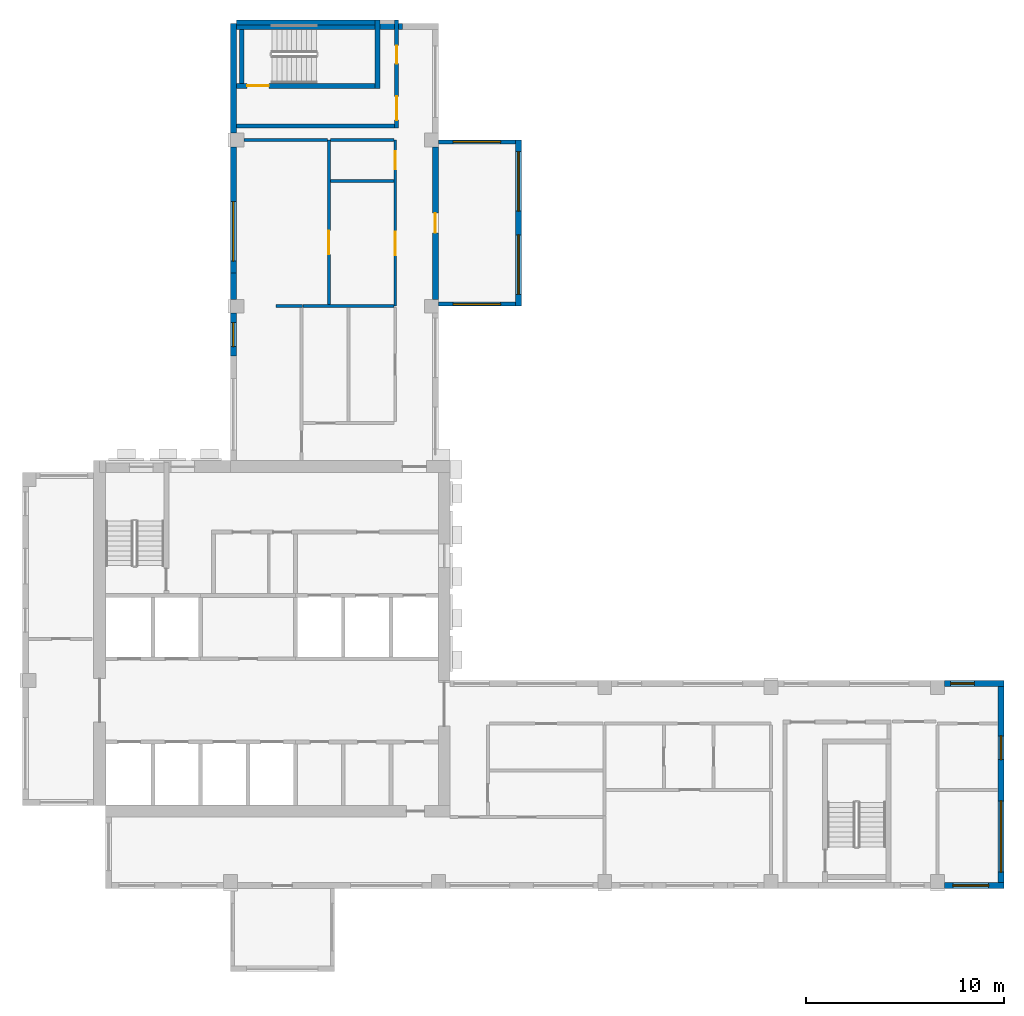
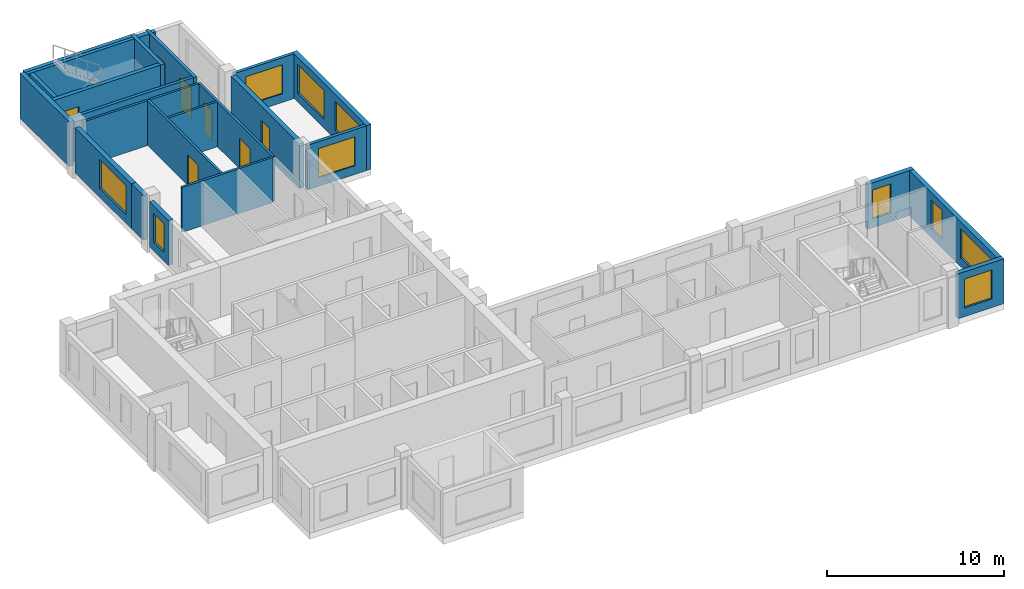
# One storey, part 5 of 10: 25 walls, 10 windows, 7 doors, 17 openings.
"""IFC4 building model written with IfcOpenShell, lengths in metres."""

from ifc_helpers import new_model, si_unit, direction, frame, frame_2d, origin, place, context, subcontext, project, spatial, rectangle, extrude, source, transform, mapped, material, layer, layer_set, type_object, element, fill, save


model = new_model("IFC4")

# Units and contexts
model_context = context("Model", 3, precision=1e-05, world=origin(), true_north=direction((0.0, 1.0)))
body_context = subcontext(model_context, "Body", "Model", "MODEL_VIEW")
ifc_project = project(units=[si_unit("LENGTHUNIT", "METRE"), si_unit("AREAUNIT", "SQUARE_METRE"), si_unit("VOLUMEUNIT", "CUBIC_METRE"), si_unit("PLANEANGLEUNIT", "RADIAN"), si_unit("MASSUNIT", "GRAM", prefix="KILO")], contexts=[model_context])

# Site, building, storey
site_placement = place(None, origin())
site = spatial("IfcSite", under=ifc_project, at=site_placement, CompositionType="ELEMENT")
building_placement = place(site_placement, origin())
building = spatial("IfcBuilding", under=site, at=building_placement, Name="Aurelian Terraces", CompositionType="ELEMENT")
storey_placement = place(building_placement, frame((0.0, 0.0, 288.0)))
storey = spatial("IfcBuildingStorey", under=building, at=storey_placement, Name="L65", CompositionType="ELEMENT", Elevation=288.0)

# Wall, openings, windows
ifc_material_1 = material(Name="Concrete fc' 40 MPa", Category="concrete")
ifc_layer_1 = layer(ifc_material_1, 0.3)
ifc_layer_set_1 = layer_set([ifc_layer_1], Name="BOX BEARING WALL 300")
wall_type_1 = type_object("IfcWallType", Name="BOX BEARING WALL 300", PredefinedType="SOLIDWALL", material=ifc_layer_set_1)
wall_1_placement = place(storey_placement, frame((25.05, 29.4, 0.0), z_axis=(0.0, 0.0, 1.0), x_axis=(0.0, 1.0, 0.0)))
wall_1 = element("IfcWall", 1, at=wall_1_placement, inside=storey, type_object=wall_type_1, Name="Box wall L65 J89", PredefinedType="SOLIDWALL", context=body_context, shape_type="SweptSolid", body=[
    extrude(rectangle(XDim=8.4, YDim=0.3, at=frame_2d((4.2, 0.0))), origin(), (0.0, 0.0, 1.0), 3.09),
])
shared_shape_1 = source(origin(), body_context, "Body", "SweptSolid", [
    extrude(rectangle(XDim=3.0, YDim=2.0, at=frame_2d((1.5, 1.0))), frame((0.0, 0.16, 0.0), z_axis=(0.0, -1.0, 0.0), x_axis=(1.0, 0.0, 0.0)), (0.0, 0.0, 1.0), 0.32),
])
opening_1_placement = place(wall_1_placement, frame((0.6, 0.0, 0.6)))
opening_1 = element("IfcOpeningElement", 2, at=opening_1_placement, cuts=wall_1, Name="Opening W3020", PredefinedType="OPENING", context=body_context, shape_type="MappedRepresentation", body=[
    mapped(shared_shape_1, transform((0.0, 0.0, 0.0), scale=1.0)),
])
opening_2_placement = place(wall_1_placement, frame((4.8, 0.0, 0.6)))
opening_2 = element("IfcOpeningElement", 3, at=opening_2_placement, cuts=wall_1, Name="Opening W3020", PredefinedType="OPENING", context=body_context, shape_type="MappedRepresentation", body=[
    mapped(shared_shape_1, transform((0.0, 0.0, 0.0), scale=1.0)),
])
ifc_material_2 = material(Name="Clear glazing", Category="glass")
window_type_1 = type_object("IfcWindowType", Name="W-3000x2000", PartitioningType="SINGLE_PANEL", PredefinedType="WINDOW", material=ifc_material_2)
shared_shape_2 = source(origin(), body_context, "Body", "SweptSolid", [
    extrude(rectangle(XDim=3.0, YDim=2.0, at=frame_2d((1.5, 1.0))), frame((0.0, 0.03, 0.0), z_axis=(0.0, -1.0, 0.0), x_axis=(1.0, 0.0, 0.0)), (0.0, 0.0, 1.0), 0.06),
])
window_1_placement = place(opening_1_placement, origin())
window_1 = element("IfcWindow", 4, at=window_1_placement, inside=storey, type_object=window_type_1, Name="Window L65 J89-F1", OverallHeight=2.0, OverallWidth=3.0, PartitioningType="SINGLE_PANEL", PredefinedType="WINDOW", context=body_context, shape_type="MappedRepresentation", body=[
    mapped(shared_shape_2, transform((0.0, 0.0, 0.0), scale=1.0)),
])
fill(opening_1, window_1)
window_2_placement = place(opening_2_placement, origin())
window_2 = element("IfcWindow", 5, at=window_2_placement, inside=storey, type_object=window_type_1, Name="Window L65 J89-F2", OverallHeight=2.0, OverallWidth=3.0, PartitioningType="SINGLE_PANEL", PredefinedType="WINDOW", context=body_context, shape_type="MappedRepresentation", body=[
    mapped(shared_shape_2, transform((0.0, 0.0, 0.0), scale=1.0)),
])
fill(opening_2, window_2)

# Wall, opening, window
ifc_material_3 = material(Name="Terracotta rainscreen cladding", Category="masonry")
ifc_layer_2 = layer(ifc_material_3, 0.3)
ifc_layer_set_2 = layer_set([ifc_layer_2], Name="EW-300")
wall_type_2 = type_object("IfcWallType", Name="EW-300", PredefinedType="STANDARD", material=ifc_layer_set_2)
wall_2_placement = place(storey_placement, frame((10.65, 37.45, 0.0), z_axis=(0.0, 0.0, 1.0), x_axis=(0.0, -1.0, 0.0)))
wall_2 = element("IfcWall", 6, at=wall_2_placement, inside=storey, type_object=wall_type_2, Name="External wall L65 F06.14", PredefinedType="STANDARD", context=body_context, shape_type="SweptSolid", body=[
    extrude(rectangle(XDim=6.37, YDim=0.3, at=frame_2d((3.185, 0.0))), origin(), (0.0, 0.0, 1.0), 3.1),
])
opening_3_placement = place(wall_2_placement, frame((2.77, 0.0, 0.6)))
opening_3 = element("IfcOpeningElement", 7, at=opening_3_placement, cuts=wall_2, Name="Opening W3020", PredefinedType="OPENING", context=body_context, shape_type="MappedRepresentation", body=[
    mapped(shared_shape_1, transform((0.0, 0.0, 0.0), scale=1.0)),
])
window_3_placement = place(opening_3_placement, origin())
window_3 = element("IfcWindow", 8, at=window_3_placement, inside=storey, type_object=window_type_1, Name="Window L65 L65-F06-14-2", OverallHeight=2.0, OverallWidth=3.0, PartitioningType="SINGLE_PANEL", PredefinedType="WINDOW", context=body_context, shape_type="MappedRepresentation", body=[
    mapped(shared_shape_2, transform((0.0, 0.0, 0.0), scale=1.0)),
])
fill(opening_3, window_3)

# Wall
wall_3_placement = place(storey_placement, frame((10.65, 31.08, 0.0), z_axis=(0.0, 0.0, 1.0), x_axis=(0.0, -1.0, 0.0)))
element("IfcWall", 9, at=wall_3_placement, inside=storey, type_object=wall_type_2, Name="External wall L65 F06.15", PredefinedType="STANDARD", context=body_context, shape_type="SweptSolid", body=[
    extrude(rectangle(XDim=1.33, YDim=0.3, at=frame_2d((0.665, 0.0))), origin(), (0.0, 0.0, 1.0), 3.1),
])

# Wall, opening, window
wall_4_placement = place(storey_placement, frame((10.65, 29.05, 0.0), z_axis=(0.0, 0.0, 1.0), x_axis=(0.0, -1.0, 0.0)))
wall_4 = element("IfcWall", 10, at=wall_4_placement, inside=storey, type_object=wall_type_2, Name="External wall L65 F06.15", PredefinedType="STANDARD", context=body_context, shape_type="SweptSolid", body=[
    extrude(rectangle(XDim=2.17, YDim=0.3, at=frame_2d((1.085, 0.0))), origin(), (0.0, 0.0, 1.0), 3.1),
])
shared_shape_3 = source(origin(), body_context, "Body", "SweptSolid", [
    extrude(rectangle(XDim=1.2, YDim=2.0, at=frame_2d((0.6, 1.0))), frame((0.0, 0.16, 0.0), z_axis=(0.0, -1.0, 0.0), x_axis=(1.0, 0.0, 0.0)), (0.0, 0.0, 1.0), 0.32),
])
opening_4_placement = place(wall_4_placement, frame((0.485, 0.0, 0.6)))
opening_4 = element("IfcOpeningElement", 11, at=opening_4_placement, cuts=wall_4, Name="Opening W1220", PredefinedType="OPENING", context=body_context, shape_type="MappedRepresentation", body=[
    mapped(shared_shape_3, transform((0.0, 0.0, 0.0), scale=1.0)),
])
window_type_2 = type_object("IfcWindowType", Name="W-1200x2000", PartitioningType="SINGLE_PANEL", PredefinedType="WINDOW", material=ifc_material_2)
shared_shape_4 = source(origin(), body_context, "Body", "SweptSolid", [
    extrude(rectangle(XDim=1.2, YDim=2.0, at=frame_2d((0.6, 1.0))), frame((0.0, 0.03, 0.0), z_axis=(0.0, -1.0, 0.0), x_axis=(1.0, 0.0, 0.0)), (0.0, 0.0, 1.0), 0.06),
])
window_4_placement = place(opening_4_placement, origin())
window_4 = element("IfcWindow", 12, at=window_4_placement, inside=storey, type_object=window_type_2, Name="Window L65 L65-F06-15-P1", OverallHeight=2.0, OverallWidth=1.2, PartitioningType="SINGLE_PANEL", PredefinedType="WINDOW", context=body_context, shape_type="MappedRepresentation", body=[
    mapped(shared_shape_4, transform((0.0, 0.0, 0.0), scale=1.0)),
])
fill(opening_4, window_4)

# Wall
ifc_material_4 = material(Name="Gypsum board on steel studs", Category="steel")
ifc_layer_3 = layer(ifc_material_4, 0.15)
ifc_layer_set_3 = layer_set([ifc_layer_3], Name="Fire partition 150")
wall_type_3 = type_object("IfcWallType", Name="Fire partition 150", PredefinedType="PARTITIONING", material=ifc_layer_set_3)
wall_5_placement = place(storey_placement, frame((14.155, 29.4, 0.0), z_axis=(0.0, 0.0, 1.0), x_axis=(-1.0, 0.0, 0.0)))
element("IfcWall", 13, at=wall_5_placement, inside=storey, type_object=wall_type_3, Name="Party wall", PredefinedType="PARTITIONING", context=body_context, shape_type="SweptSolid", body=[
    extrude(rectangle(XDim=1.35, YDim=0.15, at=frame_2d((0.675, 0.0))), origin(), (0.0, 0.0, 1.0), 3.1),
])

# Wall, opening, door
shared_shape_5 = source(origin(), body_context, "Body", "SweptSolid", [
    extrude(rectangle(XDim=7.7, YDim=0.3, at=frame_2d((3.85, 0.0))), origin(), (0.0, 0.0, 1.0), 3.1),
])
wall_6_placement = place(storey_placement, frame((20.85, 29.75, 0.0), z_axis=(0.0, 0.0, 1.0), x_axis=(0.0, 1.0, 0.0)))
wall_6 = element("IfcWall", 14, at=wall_6_placement, inside=storey, type_object=wall_type_2, Name="External wall L65 F04.11", PredefinedType="STANDARD", context=body_context, shape_type="MappedRepresentation", body=[
    mapped(shared_shape_5, transform((0.0, 0.0, 0.0), scale=1.0)),
])
shared_shape_6 = source(origin(), body_context, "Body", "SweptSolid", [
    extrude(rectangle(XDim=1.0, YDim=2.1, at=frame_2d((0.5, 1.05))), frame((0.0, 0.16, 0.0), z_axis=(0.0, -1.0, 0.0), x_axis=(1.0, 0.0, 0.0)), (0.0, 0.0, 1.0), 0.32),
])
opening_5_placement = place(wall_6_placement, frame((3.35, 0.0, 0.0)))
opening_5 = element("IfcOpeningElement", 15, at=opening_5_placement, cuts=wall_6, Name="Opening 865002", PredefinedType="OPENING", context=body_context, shape_type="MappedRepresentation", body=[
    mapped(shared_shape_6, transform((0.0, 0.0, 0.0), scale=1.0)),
])
ifc_material_5 = material(Name="Timber door leaf", Category="wood")
door_type_1 = type_object("IfcDoorType", Name="Room door 1000x2100 left", OperationType="SINGLE_SWING_LEFT", PredefinedType="DOOR", material=ifc_material_5)
shared_shape_7 = source(origin(), body_context, "Body", "SweptSolid", [
    extrude(rectangle(XDim=1.0, YDim=2.1, at=frame_2d((0.5, 1.05))), frame((0.0, 0.025, 0.0), z_axis=(0.0, -1.0, 0.0), x_axis=(1.0, 0.0, 0.0)), (0.0, 0.0, 1.0), 0.05),
])
door_1_placement = place(opening_5_placement, origin())
door_1 = element("IfcDoor", 16, at=door_1_placement, inside=storey, type_object=door_type_1, Name="Door 865002", OperationType="SINGLE_SWING_LEFT", OverallHeight=2.1, OverallWidth=1.0, PredefinedType="DOOR", context=body_context, shape_type="MappedRepresentation", body=[
    mapped(shared_shape_7, transform((0.0, 0.0, 0.0), scale=1.0)),
])
fill(opening_5, door_1)

# Wall, opening, window
shared_shape_8 = source(origin(), body_context, "Body", "SweptSolid", [
    extrude(rectangle(XDim=3.01, YDim=0.3, at=frame_2d((1.505, 0.0))), origin(), (0.0, 0.0, 1.0), 3.1),
])
wall_7_placement = place(storey_placement, frame((46.55, 0.15, 0.0), z_axis=(0.0, 0.0, 1.0), x_axis=(1.0, 0.0, 0.0)))
wall_7 = element("IfcWall", 17, at=wall_7_placement, inside=storey, type_object=wall_type_2, Name="External wall L65 F01.6", PredefinedType="STANDARD", context=body_context, shape_type="MappedRepresentation", body=[
    mapped(shared_shape_8, transform((0.0, 0.0, 0.0), scale=1.0)),
])
shared_shape_9 = source(origin(), body_context, "Body", "SweptSolid", [
    extrude(rectangle(XDim=1.8, YDim=2.0, at=frame_2d((0.9, 1.0))), frame((0.0, 0.16, 0.0), z_axis=(0.0, -1.0, 0.0), x_axis=(1.0, 0.0, 0.0)), (0.0, 0.0, 1.0), 0.32),
])
opening_6_placement = place(wall_7_placement, frame((0.43, 0.0, 0.6)))
opening_6 = element("IfcOpeningElement", 18, at=opening_6_placement, cuts=wall_7, Name="Opening W1820", PredefinedType="OPENING", context=body_context, shape_type="MappedRepresentation", body=[
    mapped(shared_shape_9, transform((0.0, 0.0, 0.0), scale=1.0)),
])
window_type_3 = type_object("IfcWindowType", Name="W-1800x2000", PartitioningType="SINGLE_PANEL", PredefinedType="WINDOW", material=ifc_material_2)
shared_shape_10 = source(origin(), body_context, "Body", "SweptSolid", [
    extrude(rectangle(XDim=1.8, YDim=2.0, at=frame_2d((0.9, 1.0))), frame((0.0, 0.03, 0.0), z_axis=(0.0, -1.0, 0.0), x_axis=(1.0, 0.0, 0.0)), (0.0, 0.0, 1.0), 0.06),
])
window_5_placement = place(opening_6_placement, origin())
window_5 = element("IfcWindow", 19, at=window_5_placement, inside=storey, type_object=window_type_3, Name="Window L65 L65-F01-06-0", OverallHeight=2.0, OverallWidth=1.8, PartitioningType="SINGLE_PANEL", PredefinedType="WINDOW", context=body_context, shape_type="MappedRepresentation", body=[
    mapped(shared_shape_10, transform((0.0, 0.0, 0.0), scale=1.0)),
])
fill(opening_6, window_5)

wall_8_placement = place(storey_placement, frame((49.56, 10.35, 0.0), z_axis=(0.0, 0.0, 1.0), x_axis=(-1.0, 0.0, 0.0)))
wall_8 = element("IfcWall", 20, at=wall_8_placement, inside=storey, type_object=wall_type_2, Name="External wall L65 F03.8", PredefinedType="STANDARD", context=body_context, shape_type="MappedRepresentation", body=[
    mapped(shared_shape_8, transform((0.0, 0.0, 0.0), scale=1.0)),
])
opening_7_placement = place(wall_8_placement, frame((1.5, 0.0, 0.6)))
opening_7 = element("IfcOpeningElement", 21, at=opening_7_placement, cuts=wall_8, Name="Opening W1220", PredefinedType="OPENING", context=body_context, shape_type="MappedRepresentation", body=[
    mapped(shared_shape_3, transform((0.0, 0.0, 0.0), scale=1.0)),
])
window_6_placement = place(opening_7_placement, origin())
window_6 = element("IfcWindow", 22, at=window_6_placement, inside=storey, type_object=window_type_2, Name="Window L65 L65-F03-08-0", OverallHeight=2.0, OverallWidth=1.2, PartitioningType="SINGLE_PANEL", PredefinedType="WINDOW", context=body_context, shape_type="MappedRepresentation", body=[
    mapped(shared_shape_4, transform((0.0, 0.0, 0.0), scale=1.0)),
])
fill(opening_7, window_6)

ifc_layer_4 = layer(ifc_material_1, 0.2)
ifc_layer_set_4 = layer_set([ifc_layer_4], Name="BOX BEARING WALL 200")
wall_type_4 = type_object("IfcWallType", Name="BOX BEARING WALL 200", PredefinedType="SOLIDWALL", material=ifc_layer_set_4)
shared_shape_11 = source(origin(), body_context, "Body", "SweptSolid", [
    extrude(rectangle(XDim=3.9, YDim=0.2, at=frame_2d((1.95, 0.0))), origin(), (0.0, 0.0, 1.0), 3.09),
])
wall_9_placement = place(storey_placement, frame((21.0, 29.5, 0.0), z_axis=(0.0, 0.0, 1.0), x_axis=(1.0, 0.0, 0.0)))
wall_9 = element("IfcWall", 23, at=wall_9_placement, inside=storey, type_object=wall_type_4, Name="Box return L65 J89.1", PredefinedType="SOLIDWALL", context=body_context, shape_type="MappedRepresentation", body=[
    mapped(shared_shape_11, transform((0.0, 0.0, 0.0), scale=1.0)),
])
shared_shape_12 = source(origin(), body_context, "Body", "SweptSolid", [
    extrude(rectangle(XDim=2.4, YDim=2.0, at=frame_2d((1.2, 1.0))), frame((0.0, 0.11, 0.0), z_axis=(0.0, -1.0, 0.0), x_axis=(1.0, 0.0, 0.0)), (0.0, 0.0, 1.0), 0.22),
])
opening_8_placement = place(wall_9_placement, frame((0.75, 0.0, 0.6)))
opening_8 = element("IfcOpeningElement", 24, at=opening_8_placement, cuts=wall_9, Name="Opening W2420", PredefinedType="OPENING", context=body_context, shape_type="MappedRepresentation", body=[
    mapped(shared_shape_12, transform((0.0, 0.0, 0.0), scale=1.0)),
])
window_type_4 = type_object("IfcWindowType", Name="W-2400x2000", PartitioningType="SINGLE_PANEL", PredefinedType="WINDOW", material=ifc_material_2)
shared_shape_13 = source(origin(), body_context, "Body", "SweptSolid", [
    extrude(rectangle(XDim=2.4, YDim=2.0, at=frame_2d((1.2, 1.0))), frame((0.0, 0.03, 0.0), z_axis=(0.0, -1.0, 0.0), x_axis=(1.0, 0.0, 0.0)), (0.0, 0.0, 1.0), 0.06),
])
window_7_placement = place(opening_8_placement, origin())
window_7 = element("IfcWindow", 25, at=window_7_placement, inside=storey, type_object=window_type_4, Name="Window L65 J89-S1", OverallHeight=2.0, OverallWidth=2.4, PartitioningType="SINGLE_PANEL", PredefinedType="WINDOW", context=body_context, shape_type="MappedRepresentation", body=[
    mapped(shared_shape_13, transform((0.0, 0.0, 0.0), scale=1.0)),
])
fill(opening_8, window_7)

wall_10_placement = place(storey_placement, frame((21.0, 37.7, 0.0), z_axis=(0.0, 0.0, 1.0), x_axis=(1.0, 0.0, 0.0)))
wall_10 = element("IfcWall", 26, at=wall_10_placement, inside=storey, type_object=wall_type_4, Name="Box return L65 J89.2", PredefinedType="SOLIDWALL", context=body_context, shape_type="MappedRepresentation", body=[
    mapped(shared_shape_11, transform((0.0, 0.0, 0.0), scale=1.0)),
])
opening_9_placement = place(wall_10_placement, frame((0.75, 0.0, 0.6)))
opening_9 = element("IfcOpeningElement", 27, at=opening_9_placement, cuts=wall_10, Name="Opening W2420", PredefinedType="OPENING", context=body_context, shape_type="MappedRepresentation", body=[
    mapped(shared_shape_12, transform((0.0, 0.0, 0.0), scale=1.0)),
])
window_8_placement = place(opening_9_placement, origin())
window_8 = element("IfcWindow", 28, at=window_8_placement, inside=storey, type_object=window_type_4, Name="Window L65 J89-S2", OverallHeight=2.0, OverallWidth=2.4, PartitioningType="SINGLE_PANEL", PredefinedType="WINDOW", context=body_context, shape_type="MappedRepresentation", body=[
    mapped(shared_shape_13, transform((0.0, 0.0, 0.0), scale=1.0)),
])
fill(opening_9, window_8)

# Wall, openings, windows
shared_shape_14 = source(origin(), body_context, "Body", "SweptSolid", [
    extrude(rectangle(XDim=10.5, YDim=0.3, at=frame_2d((5.25, 0.0))), origin(), (0.0, 0.0, 1.0), 3.1),
])
wall_11_placement = place(storey_placement, frame((49.41, 0.0, 0.0), z_axis=(0.0, 0.0, 1.0), x_axis=(0.0, 1.0, 0.0)))
wall_11 = element("IfcWall", 29, at=wall_11_placement, inside=storey, type_object=wall_type_2, Name="External wall L65 F02.7", PredefinedType="STANDARD", context=body_context, shape_type="MappedRepresentation", body=[
    mapped(shared_shape_14, transform((0.0, 0.0, 0.0), scale=1.0)),
])
shared_shape_15 = source(origin(), body_context, "Body", "SweptSolid", [
    extrude(rectangle(XDim=3.6, YDim=2.0, at=frame_2d((1.8, 1.0))), frame((0.0, 0.16, 0.0), z_axis=(0.0, -1.0, 0.0), x_axis=(1.0, 0.0, 0.0)), (0.0, 0.0, 1.0), 0.32),
])
opening_10_placement = place(wall_11_placement, frame((0.825, 0.0, 0.6)))
opening_10 = element("IfcOpeningElement", 30, at=opening_10_placement, cuts=wall_11, Name="Opening W3620", PredefinedType="OPENING", context=body_context, shape_type="MappedRepresentation", body=[
    mapped(shared_shape_15, transform((0.0, 0.0, 0.0), scale=1.0)),
])
opening_11_placement = place(wall_11_placement, frame((6.5125, 0.0, 0.6)))
opening_11 = element("IfcOpeningElement", 31, at=opening_11_placement, cuts=wall_11, Name="Opening W1220", PredefinedType="OPENING", context=body_context, shape_type="MappedRepresentation", body=[
    mapped(shared_shape_3, transform((0.0, 0.0, 0.0), scale=1.0)),
])
window_9_placement = place(opening_11_placement, origin())
window_9 = element("IfcWindow", 32, at=window_9_placement, inside=storey, type_object=window_type_2, Name="Window L65 L65-F02-07-1", OverallHeight=2.0, OverallWidth=1.2, PartitioningType="SINGLE_PANEL", PredefinedType="WINDOW", context=body_context, shape_type="MappedRepresentation", body=[
    mapped(shared_shape_4, transform((0.0, 0.0, 0.0), scale=1.0)),
])
fill(opening_11, window_9)
window_type_5 = type_object("IfcWindowType", Name="W-3600x2000", PartitioningType="SINGLE_PANEL", PredefinedType="WINDOW", material=ifc_material_2)
shared_shape_16 = source(origin(), body_context, "Body", "SweptSolid", [
    extrude(rectangle(XDim=3.6, YDim=2.0, at=frame_2d((1.8, 1.0))), frame((0.0, 0.03, 0.0), z_axis=(0.0, -1.0, 0.0), x_axis=(1.0, 0.0, 0.0)), (0.0, 0.0, 1.0), 0.06),
])
window_10_placement = place(opening_10_placement, origin())
window_10 = element("IfcWindow", 33, at=window_10_placement, inside=storey, type_object=window_type_5, Name="Window L65 L65-F02-07-0", OverallHeight=2.0, OverallWidth=3.6, PartitioningType="SINGLE_PANEL", PredefinedType="WINDOW", context=body_context, shape_type="MappedRepresentation", body=[
    mapped(shared_shape_16, transform((0.0, 0.0, 0.0), scale=1.0)),
])
fill(opening_10, window_10)

# Walls
ifc_layer_5 = layer(ifc_material_1, 0.3)
ifc_layer_set_5 = layer_set([ifc_layer_5], Name="STAIR BAY WALL 300")
wall_type_5 = type_object("IfcWallType", Name="STAIR BAY WALL 300", PredefinedType="SOLIDWALL", material=ifc_layer_set_5)
shared_shape_17 = source(origin(), body_context, "Body", "SweptSolid", [
    extrude(rectangle(XDim=8.6, YDim=0.3, at=frame_2d((4.3, 0.0))), origin(), (0.0, 0.0, 1.0), 3.1),
])
wall_12_placement = place(storey_placement, frame((19.2, 43.53, 0.0), z_axis=(0.0, 0.0, 1.0), x_axis=(-1.0, 0.0, 0.0)))
element("IfcWall", 34, at=wall_12_placement, inside=storey, type_object=wall_type_5, Name="Stair bay wall L65 F05.13", PredefinedType="SOLIDWALL", context=body_context, shape_type="MappedRepresentation", body=[
    mapped(shared_shape_17, transform((0.0, 0.0, 0.0), scale=1.0)),
])
shared_shape_18 = source(origin(), body_context, "Body", "SweptSolid", [
    extrude(rectangle(XDim=5.53, YDim=0.3, at=frame_2d((2.765, 0.0))), origin(), (0.0, 0.0, 1.0), 3.1),
])
wall_13_placement = place(storey_placement, frame((10.65, 43.68, 0.0), z_axis=(0.0, 0.0, 1.0), x_axis=(0.0, -1.0, 0.0)))
element("IfcWall", 35, at=wall_13_placement, inside=storey, type_object=wall_type_5, Name="Stair bay wall L65 F06.14", PredefinedType="SOLIDWALL", context=body_context, shape_type="MappedRepresentation", body=[
    mapped(shared_shape_18, transform((0.0, 0.0, 0.0), scale=1.0)),
])

# Wall, opening, door
ifc_layer_6 = layer(ifc_material_1, 0.25)
ifc_layer_set_6 = layer_set([ifc_layer_6], Name="Stair enclosure wall 250")
wall_type_6 = type_object("IfcWallType", Name="Stair enclosure wall 250", PredefinedType="SOLIDWALL", material=ifc_layer_set_6)
shared_shape_19 = source(origin(), body_context, "Body", "SweptSolid", [
    extrude(rectangle(XDim=7.0, YDim=0.25, at=frame_2d((3.5, 0.0))), origin(), (0.0, 0.0, 1.0), 3.1),
])
wall_14_placement = place(storey_placement, frame((10.8, 40.525, 0.0), z_axis=(0.0, 0.0, 1.0), x_axis=(1.0, 0.0, 0.0)))
wall_14 = element("IfcWall", 36, at=wall_14_placement, inside=storey, type_object=wall_type_6, Name="L65 core wall ST-S3U-W", PredefinedType="SOLIDWALL", context=body_context, shape_type="MappedRepresentation", body=[
    mapped(shared_shape_19, transform((0.0, 0.0, 0.0), scale=1.0)),
])
shared_shape_20 = source(origin(), body_context, "Body", "SweptSolid", [
    extrude(rectangle(XDim=1.1, YDim=2.1, at=frame_2d((0.55, 1.05))), frame((0.0, 0.135, 0.0), z_axis=(0.0, -1.0, 0.0), x_axis=(1.0, 0.0, 0.0)), (0.0, 0.0, 1.0), 0.27),
])
opening_12_placement = place(wall_14_placement, frame((0.55, 0.0, 0.0)))
opening_12 = element("IfcOpeningElement", 37, at=opening_12_placement, cuts=wall_14, Name="Opening 66820", PredefinedType="OPENING", context=body_context, shape_type="MappedRepresentation", body=[
    mapped(shared_shape_20, transform((0.0, 0.0, 0.0), scale=1.0)),
])
ifc_material_6 = material(Name="Steel door leaf", Category="steel")
door_type_2 = type_object("IfcDoorType", Name="Core fire door 1100x2100", OperationType="SINGLE_SWING_LEFT", PredefinedType="DOOR", material=ifc_material_6)
shared_shape_21 = source(origin(), body_context, "Body", "SweptSolid", [
    extrude(rectangle(XDim=1.1, YDim=2.1, at=frame_2d((0.55, 1.05))), frame((0.0, 0.025, 0.0), z_axis=(0.0, -1.0, 0.0), x_axis=(1.0, 0.0, 0.0)), (0.0, 0.0, 1.0), 0.05),
])
door_2_placement = place(opening_12_placement, origin())
door_2 = element("IfcDoor", 38, at=door_2_placement, inside=storey, type_object=door_type_2, Name="Stair door 66820", OperationType="SINGLE_SWING_LEFT", OverallHeight=2.1, OverallWidth=1.1, PredefinedType="DOOR", context=body_context, shape_type="MappedRepresentation", body=[
    mapped(shared_shape_21, transform((0.0, 0.0, 0.0), scale=1.0)),
])
fill(opening_12, door_2)

# Walls
wall_15_placement = place(storey_placement, frame((10.8, 43.725, 0.0), z_axis=(0.0, 0.0, 1.0), x_axis=(1.0, 0.0, 0.0)))
element("IfcWall", 39, at=wall_15_placement, inside=storey, type_object=wall_type_6, Name="L65 core wall ST-S3U-E", PredefinedType="SOLIDWALL", context=body_context, shape_type="MappedRepresentation", body=[
    mapped(shared_shape_19, transform((0.0, 0.0, 0.0), scale=1.0)),
])
shared_shape_22 = source(origin(), body_context, "Body", "SweptSolid", [
    extrude(rectangle(XDim=3.45, YDim=0.25, at=frame_2d((1.725, 0.0))), origin(), (0.0, 0.0, 1.0), 3.1),
])
wall_16_placement = place(storey_placement, frame((17.925, 40.4, 0.0), z_axis=(0.0, 0.0, 1.0), x_axis=(0.0, 1.0, 0.0)))
element("IfcWall", 40, at=wall_16_placement, inside=storey, type_object=wall_type_6, Name="L65 core wall ST-S3U-N", PredefinedType="SOLIDWALL", context=body_context, shape_type="MappedRepresentation", body=[
    mapped(shared_shape_22, transform((0.0, 0.0, 0.0), scale=1.0)),
])
ifc_layer_7 = layer(ifc_material_4, 0.2)
ifc_layer_set_7 = layer_set([ifc_layer_7], Name="Core partition 200")
wall_type_7 = type_object("IfcWallType", Name="Core partition 200", PredefinedType="PARTITIONING", material=ifc_layer_set_7)
shared_shape_23 = source(origin(), body_context, "Body", "SweptSolid", [
    extrude(rectangle(XDim=8.0, YDim=0.2, at=frame_2d((4.0, 0.0))), origin(), (0.0, 0.0, 1.0), 3.1),
])
wall_17_placement = place(storey_placement, frame((10.8, 38.5, 0.0), z_axis=(0.0, 0.0, 1.0), x_axis=(1.0, 0.0, 0.0)))
element("IfcWall", 41, at=wall_17_placement, inside=storey, type_object=wall_type_7, Name="L65 core wall ST-S3U-VW", PredefinedType="PARTITIONING", context=body_context, shape_type="MappedRepresentation", body=[
    mapped(shared_shape_23, transform((0.0, 0.0, 0.0), scale=1.0)),
])

# Wall, openings, doors
shared_shape_24 = source(origin(), body_context, "Body", "SweptSolid", [
    extrude(rectangle(XDim=5.45, YDim=0.2, at=frame_2d((2.725, 0.0))), origin(), (0.0, 0.0, 1.0), 3.1),
])
wall_18_placement = place(storey_placement, frame((18.9, 38.4, 0.0), z_axis=(0.0, 0.0, 1.0), x_axis=(0.0, 1.0, 0.0)))
wall_18 = element("IfcWall", 42, at=wall_18_placement, inside=storey, type_object=wall_type_7, Name="L65 core wall ST-S3U-BN", PredefinedType="PARTITIONING", context=body_context, shape_type="MappedRepresentation", body=[
    mapped(shared_shape_24, transform((0.0, 0.0, 0.0), scale=1.0)),
])
shared_shape_25 = source(origin(), body_context, "Body", "SweptSolid", [
    extrude(rectangle(XDim=1.2, YDim=2.1, at=frame_2d((0.6, 1.05))), frame((0.0, 0.11, 0.0), z_axis=(0.0, -1.0, 0.0), x_axis=(1.0, 0.0, 0.0)), (0.0, 0.0, 1.0), 0.22),
])
opening_13_placement = place(wall_18_placement, frame((0.4, 0.0, 0.0)))
opening_13 = element("IfcOpeningElement", 43, at=opening_13_placement, cuts=wall_18, Name="Opening 66821", PredefinedType="OPENING", context=body_context, shape_type="MappedRepresentation", body=[
    mapped(shared_shape_25, transform((0.0, 0.0, 0.0), scale=1.0)),
])
shared_shape_26 = source(origin(), body_context, "Body", "SweptSolid", [
    extrude(rectangle(XDim=0.9, YDim=2.1, at=frame_2d((0.45, 1.05))), frame((0.0, 0.11, 0.0), z_axis=(0.0, -1.0, 0.0), x_axis=(1.0, 0.0, 0.0)), (0.0, 0.0, 1.0), 0.22),
])
opening_14_placement = place(wall_18_placement, frame((3.25, 0.0, 0.0)))
opening_14 = element("IfcOpeningElement", 44, at=opening_14_placement, cuts=wall_18, Name="Opening 66822", PredefinedType="OPENING", context=body_context, shape_type="MappedRepresentation", body=[
    mapped(shared_shape_26, transform((0.0, 0.0, 0.0), scale=1.0)),
])
door_type_3 = type_object("IfcDoorType", Name="Core riser door 900x2100", OperationType="SINGLE_SWING_LEFT", PredefinedType="DOOR", material=ifc_material_6)
shared_shape_27 = source(origin(), body_context, "Body", "SweptSolid", [
    extrude(rectangle(XDim=0.9, YDim=2.1, at=frame_2d((0.45, 1.05))), frame((0.0, 0.025, 0.0), z_axis=(0.0, -1.0, 0.0), x_axis=(1.0, 0.0, 0.0)), (0.0, 0.0, 1.0), 0.05),
])
door_3_placement = place(opening_14_placement, origin())
door_3 = element("IfcDoor", 45, at=door_3_placement, inside=storey, type_object=door_type_3, Name="Riser door 66822", OperationType="SINGLE_SWING_LEFT", OverallHeight=2.1, OverallWidth=0.9, PredefinedType="DOOR", context=body_context, shape_type="MappedRepresentation", body=[
    mapped(shared_shape_27, transform((0.0, 0.0, 0.0), scale=1.0)),
])
fill(opening_14, door_3)
door_type_4 = type_object("IfcDoorType", Name="Core fire door 1200x2100 right", OperationType="SINGLE_SWING_RIGHT", PredefinedType="DOOR", material=ifc_material_6)
shared_shape_28 = source(origin(), body_context, "Body", "SweptSolid", [
    extrude(rectangle(XDim=1.2, YDim=2.1, at=frame_2d((0.6, 1.05))), frame((0.0, 0.025, 0.0), z_axis=(0.0, -1.0, 0.0), x_axis=(1.0, 0.0, 0.0)), (0.0, 0.0, 1.0), 0.05),
])
door_4_placement = place(opening_13_placement, origin())
door_4 = element("IfcDoor", 46, at=door_4_placement, inside=storey, type_object=door_type_4, Name="Vestibule door 66821", OperationType="SINGLE_SWING_RIGHT", OverallHeight=2.1, OverallWidth=1.2, PredefinedType="DOOR", context=body_context, shape_type="MappedRepresentation", body=[
    mapped(shared_shape_28, transform((0.0, 0.0, 0.0), scale=1.0)),
])
fill(opening_13, door_4)

# Walls
shared_shape_29 = source(origin(), body_context, "Body", "SweptSolid", [
    extrude(rectangle(XDim=2.73, YDim=0.25, at=frame_2d((1.365, 0.0))), origin(), (0.0, 0.0, 1.0), 3.1),
])
wall_19_placement = place(storey_placement, frame((11.075, 40.65, 0.0), z_axis=(0.0, 0.0, 1.0), x_axis=(0.0, 1.0, 0.0)))
element("IfcWall", 47, at=wall_19_placement, inside=storey, type_object=wall_type_6, Name="L65 core wall ST-S3U-SS", PredefinedType="SOLIDWALL", context=body_context, shape_type="MappedRepresentation", body=[
    mapped(shared_shape_29, transform((0.0, 0.0, 0.0), scale=1.0)),
])
ifc_layer_8 = layer(ifc_material_4, 0.15)
ifc_layer_set_8 = layer_set([ifc_layer_8], Name="Partition 150")
wall_type_8 = type_object("IfcWallType", Name="Partition 150", PredefinedType="PARTITIONING", material=ifc_layer_set_8)
shared_shape_30 = source(origin(), body_context, "Body", "SweptSolid", [
    extrude(rectangle(XDim=4.575, YDim=0.15, at=frame_2d((2.2875, 0.0))), origin(), (0.0, 0.0, 1.0), 3.1),
])
wall_20_placement = place(storey_placement, frame((18.75, 29.4, 0.0), z_axis=(0.0, 0.0, 1.0), x_axis=(-1.0, 0.0, 0.0)))
element("IfcWall", 48, at=wall_20_placement, inside=storey, type_object=wall_type_8, Name="Partition", PredefinedType="PARTITIONING", context=body_context, shape_type="MappedRepresentation", body=[
    mapped(shared_shape_30, transform((0.0, 0.0, 0.0), scale=1.0)),
])
shared_shape_31 = source(origin(), body_context, "Body", "SweptSolid", [
    extrude(rectangle(XDim=3.2, YDim=0.15, at=frame_2d((1.6, 0.0))), origin(), (0.0, 0.0, 1.0), 3.1),
])
wall_21_placement = place(storey_placement, frame((18.75, 35.725, 0.0), z_axis=(0.0, 0.0, 1.0), x_axis=(-1.0, 0.0, 0.0)))
element("IfcWall", 49, at=wall_21_placement, inside=storey, type_object=wall_type_8, Name="Partition", PredefinedType="PARTITIONING", context=body_context, shape_type="MappedRepresentation", body=[
    mapped(shared_shape_31, transform((0.0, 0.0, 0.0), scale=1.0)),
])
wall_22_placement = place(storey_placement, frame((18.75, 37.8, 0.0), z_axis=(0.0, 0.0, 1.0), x_axis=(-1.0, 0.0, 0.0)))
element("IfcWall", 50, at=wall_22_placement, inside=storey, type_object=wall_type_3, Name="Party wall", PredefinedType="PARTITIONING", context=body_context, shape_type="MappedRepresentation", body=[
    mapped(shared_shape_31, transform((0.0, 0.0, 0.0), scale=1.0)),
])
shared_shape_32 = source(origin(), body_context, "Body", "SweptSolid", [
    extrude(rectangle(XDim=4.201, YDim=0.15, at=frame_2d((2.1005, 0.0))), origin(), (0.0, 0.0, 1.0), 3.1),
])
wall_23_placement = place(storey_placement, frame((15.4, 37.8, 0.0), z_axis=(0.0, 0.0, 1.0), x_axis=(-1.0, 0.0, 0.0)))
element("IfcWall", 51, at=wall_23_placement, inside=storey, type_object=wall_type_3, Name="Party wall", PredefinedType="PARTITIONING", context=body_context, shape_type="MappedRepresentation", body=[
    mapped(shared_shape_32, transform((0.0, 0.0, 0.0), scale=1.0)),
])

# Wall, opening, door
shared_shape_33 = source(origin(), body_context, "Body", "SweptSolid", [
    extrude(rectangle(XDim=8.4, YDim=0.15, at=frame_2d((4.2, 0.0))), origin(), (0.0, 0.0, 1.0), 3.1),
])
wall_24_placement = place(storey_placement, frame((15.475, 29.4, 0.0), z_axis=(0.0, 0.0, 1.0), x_axis=(0.0, 1.0, 0.0)))
wall_24 = element("IfcWall", 52, at=wall_24_placement, inside=storey, type_object=wall_type_8, Name="Partition", PredefinedType="PARTITIONING", context=body_context, shape_type="MappedRepresentation", body=[
    mapped(shared_shape_33, transform((0.0, 0.0, 0.0), scale=1.0)),
])
shared_shape_34 = source(origin(), body_context, "Body", "SweptSolid", [
    extrude(rectangle(XDim=1.2, YDim=2.1, at=frame_2d((0.6, 1.05))), frame((0.0, 0.085, 0.0), z_axis=(0.0, -1.0, 0.0), x_axis=(1.0, 0.0, 0.0)), (0.0, 0.0, 1.0), 0.17),
])
opening_15_placement = place(wall_24_placement, frame((2.6125, 0.0, 0.0)))
opening_15 = element("IfcOpeningElement", 53, at=opening_15_placement, cuts=wall_24, Name="Opening 765015", PredefinedType="OPENING", context=body_context, shape_type="MappedRepresentation", body=[
    mapped(shared_shape_34, transform((0.0, 0.0, 0.0), scale=1.0)),
])
door_type_5 = type_object("IfcDoorType", Name="Room door 1200x2100 left", OperationType="SINGLE_SWING_LEFT", PredefinedType="DOOR", material=ifc_material_5)
door_5_placement = place(opening_15_placement, origin())
door_5 = element("IfcDoor", 54, at=door_5_placement, inside=storey, type_object=door_type_5, Name="Door 765015", OperationType="SINGLE_SWING_LEFT", OverallHeight=2.1, OverallWidth=1.2, PredefinedType="DOOR", context=body_context, shape_type="MappedRepresentation", body=[
    mapped(shared_shape_28, transform((0.0, 0.0, 0.0), scale=1.0)),
])
fill(opening_15, door_5)

# Wall, openings, doors
wall_25_placement = place(storey_placement, frame((18.825, 29.4, 0.0), z_axis=(0.0, 0.0, 1.0), x_axis=(0.0, 1.0, 0.0)))
wall_25 = element("IfcWall", 55, at=wall_25_placement, inside=storey, type_object=wall_type_3, Name="Corridor wall", PredefinedType="PARTITIONING", context=body_context, shape_type="MappedRepresentation", body=[
    mapped(shared_shape_33, transform((0.0, 0.0, 0.0), scale=1.0)),
])
opening_16_placement = place(wall_25_placement, frame((2.5625, 0.0, 0.0)))
opening_16 = element("IfcOpeningElement", 56, at=opening_16_placement, cuts=wall_25, Name="Opening 765014", PredefinedType="OPENING", context=body_context, shape_type="MappedRepresentation", body=[
    mapped(shared_shape_34, transform((0.0, 0.0, 0.0), scale=1.0)),
])
shared_shape_35 = source(origin(), body_context, "Body", "SweptSolid", [
    extrude(rectangle(XDim=0.9, YDim=2.1, at=frame_2d((0.45, 1.05))), frame((0.0, 0.085, 0.0), z_axis=(0.0, -1.0, 0.0), x_axis=(1.0, 0.0, 0.0)), (0.0, 0.0, 1.0), 0.17),
])
opening_17_placement = place(wall_25_placement, frame((6.9125, 0.0, 0.0)))
opening_17 = element("IfcOpeningElement", 57, at=opening_17_placement, cuts=wall_25, Name="Opening 765016", PredefinedType="OPENING", context=body_context, shape_type="MappedRepresentation", body=[
    mapped(shared_shape_35, transform((0.0, 0.0, 0.0), scale=1.0)),
])
door_type_6 = type_object("IfcDoorType", Name="Entrance fire door 900x2100 right", OperationType="SINGLE_SWING_RIGHT", PredefinedType="DOOR", material=ifc_material_6)
door_6_placement = place(opening_17_placement, origin())
door_6 = element("IfcDoor", 58, at=door_6_placement, inside=storey, type_object=door_type_6, Name="Door 765016", OperationType="SINGLE_SWING_RIGHT", OverallHeight=2.1, OverallWidth=0.9, PredefinedType="DOOR", context=body_context, shape_type="MappedRepresentation", body=[
    mapped(shared_shape_27, transform((0.0, 0.0, 0.0), scale=1.0)),
])
fill(opening_17, door_6)
door_type_7 = type_object("IfcDoorType", Name="Entrance fire door 1200x2100 right", OperationType="SINGLE_SWING_RIGHT", PredefinedType="DOOR", material=ifc_material_6)
door_7_placement = place(opening_16_placement, origin())
door_7 = element("IfcDoor", 59, at=door_7_placement, inside=storey, type_object=door_type_7, Name="Door 765014", OperationType="SINGLE_SWING_RIGHT", OverallHeight=2.1, OverallWidth=1.2, PredefinedType="DOOR", context=body_context, shape_type="MappedRepresentation", body=[
    mapped(shared_shape_28, transform((0.0, 0.0, 0.0), scale=1.0)),
])
fill(opening_16, door_7)

save(model, "model.ifc")
